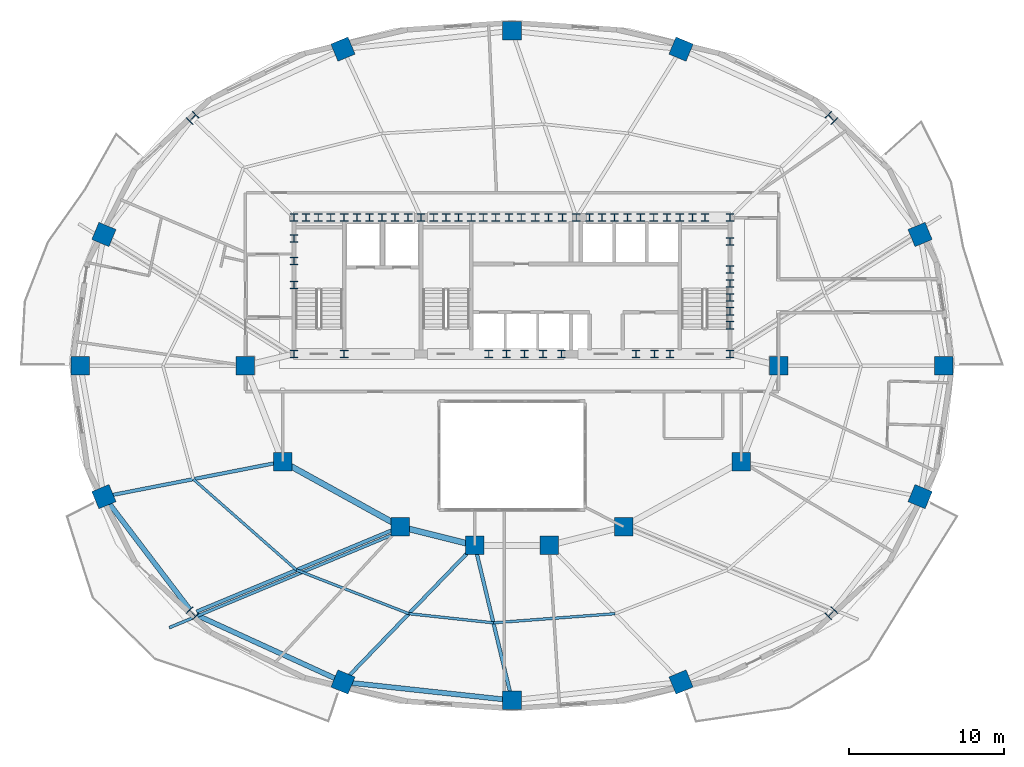
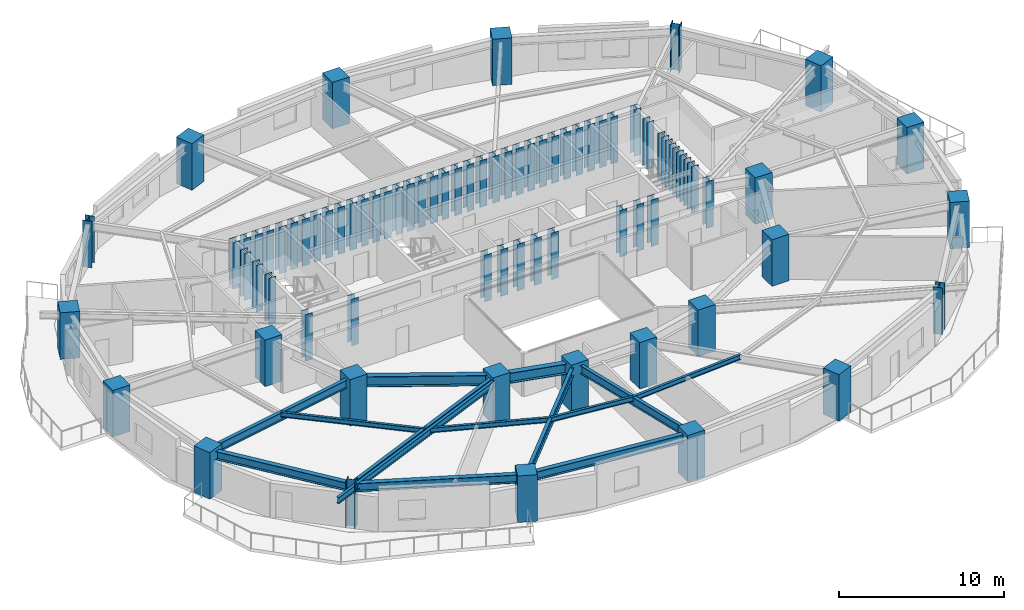
# One storey, part 1 of 13: 78 columns, 14 beams.
"""IFC4 building model written with IfcOpenShell, lengths in metres."""

from ifc_helpers import new_model, si_unit, direction, frame, origin, origin_2d, place, context, subcontext, project, spatial, rectangle, i_section, extrude, material, material_profile, profile_set, type_object, element, save


model = new_model("IFC4")

# Units and contexts
model_context = context("Model", 3, precision=1e-05, world=origin(), true_north=direction((0.0, 1.0)))
body_context = subcontext(model_context, "Body", "Model", "MODEL_VIEW")
ifc_project = project(units=[si_unit("LENGTHUNIT", "METRE"), si_unit("AREAUNIT", "SQUARE_METRE"), si_unit("VOLUMEUNIT", "CUBIC_METRE"), si_unit("PLANEANGLEUNIT", "RADIAN"), si_unit("MASSUNIT", "GRAM", prefix="KILO")], contexts=[model_context])

# Site, building, storey
site_placement = place(None, origin())
site = spatial("IfcSite", under=ifc_project, at=site_placement, CompositionType="ELEMENT")
building_placement = place(site_placement, origin())
building = spatial("IfcBuilding", under=site, at=building_placement, Name="Haldorwick Loom Tower", CompositionType="ELEMENT")
storey_placement = place(building_placement, frame((0.0, 0.0, 120.800048828125)))
storey = spatial("IfcBuildingStorey", under=building, at=storey_placement, Name="L32", CompositionType="ELEMENT", Elevation=120.800048828125)

# Columns
ifc_material_1 = material(Name="Concrete C60 (60 MPa)", Category="concrete")
ifc_material_profile_1 = material_profile(ifc_material_1, rectangle(XDim=1.199951171875, YDim=1.199951171875, at=origin_2d()), Name="RC1200X1200", Category="concrete")
ifc_profile_set_1 = profile_set([ifc_material_profile_1], Name="Concrete C60 (60 MPa)")
column_type_1 = type_object("IfcColumnType", Name="STR-COL-RC1200", PredefinedType="COLUMN", material=ifc_profile_set_1)
for number, where, z_axis, x_axis, name in (
    (1, (53.199951171875, 26.0, 0.0), (0.0, 0.0, 1.0), (1.0, 0.0, 0.0), "L32 Inner Column IC-01"),
    (2, (50.800048828125, 19.800048828125, 0.0), (0.0, 0.0, 1.0), (1.0, 0.0, 0.0), "L32 Inner Column IC-02"),
    (3, (43.199951171875, 15.60009765625, 0.0), (0.0, 0.0, 1.0), (1.0, 0.0, 0.0), "L32 Inner Column IC-03"),
    (4, (38.39990234375, 14.39990234375, 0.0), (0.0, 0.0, 1.0), (1.0, 0.0, 0.0), "L32 Inner Column IC-04"),
    (5, (33.60009765625, 14.39990234375, 0.0), (0.0, 0.0, 1.0), (1.0, 0.0, 0.0), "L32 Inner Column IC-05"),
    (6, (28.800048828125, 15.60009765625, 0.0), (0.0, 0.0, 1.0), (1.0, 0.0, 0.0), "L32 Inner Column IC-06"),
    (7, (21.199951171875, 19.800048828125, 0.0), (0.0, 0.0, 1.0), (1.0, 0.0, 0.0), "L32 Inner Column IC-07"),
    (8, (18.800048828125, 26.0, 0.0), (0.0, 0.0, 1.0), (1.0, 0.0, 0.0), "L32 Inner Column IC-08"),
    (9, (63.857666015625, 26.0, 0.0), (0.0, 0.0, 1.0), (1.0, 0.0, 0.0), "L32 Perimeter Pier Column P01"),
    (10, (62.33056640625, 34.457275390625, 0.0), (0.0, 0.0, 1.0), (0.923879532511, 0.382683432365, 0.0), "L32 Perimeter Pier Column P02"),
    (11, (46.906494140625, 46.417724609375, 0.0), (0.0, 0.0, 1.0), (0.382683432365, 0.923879532511, 0.0), "L32 Perimeter Pier Column P04"),
    (12, (36.0, 47.598388671875, 0.0), (0.0, 0.0, 1.0), (0.0, 1.0, 0.0), "L32 Perimeter Pier Column P05"),
    (13, (25.093505859375, 46.417724609375, 0.0), (0.0, 0.0, 1.0), (-0.382683432365, 0.923879532511, 0.0), "L32 Perimeter Pier Column P06"),
    (14, (9.66943359375, 34.457275390625, 0.0), (0.0, 0.0, 1.0), (-0.923879532511, 0.382683432365, 0.0), "L32 Perimeter Pier Column P08"),
    (15, (8.142333984375, 26.0, 0.0), (0.0, 0.0, 1.0), (-1.0, 0.0, 0.0), "L32 Perimeter Pier Column P09"),
    (16, (9.66943359375, 17.542724609375, 0.0), (0.0, 0.0, 1.0), (-0.923879532511, -0.382683432365, 0.0), "L32 Perimeter Pier Column P10"),
    (17, (25.093505859375, 5.582275390625, 0.0), (0.0, 0.0, 1.0), (-0.382683432365, -0.923879532511, 0.0), "L32 Perimeter Pier Column P12"),
    (18, (36.0, 4.401611328125, 0.0), (0.0, 0.0, 1.0), (0.0, -1.0, 0.0), "L32 Perimeter Pier Column P13"),
    (19, (46.906494140625, 5.582275390625, 0.0), (0.0, 0.0, 1.0), (0.382683432365, -0.923879532511, 0.0), "L32 Perimeter Pier Column P14"),
    (20, (62.33056640625, 17.542724609375, 0.0), (0.0, 0.0, 1.0), (0.923879532511, -0.382683432365, 0.0), "L32 Perimeter Pier Column P16"),
):
    element("IfcColumn", number, at=place(storey_placement, frame(where, z_axis=z_axis, x_axis=x_axis)), inside=storey, type_object=column_type_1, Name=name, PredefinedType="COLUMN", context=body_context, shape_type="SweptSolid", body=[
        extrude(rectangle(XDim=1.199951171875, YDim=1.199951171875, at=origin_2d()), origin(), (0.0, 0.0, 1.0), 3.449951171875),
    ])
ifc_material_2 = material(Name="Steel CSA G40.21 350WT", Category="steel")
ifc_material_profile_2 = material_profile(ifc_material_2, i_section(OverallWidth=0.5, OverallDepth=0.5, WebThickness=0.02197265625, FlangeThickness=0.031982421875, at=origin_2d()), Name="WWF500X500", Category="steel")
ifc_profile_set_2 = profile_set([ifc_material_profile_2], Name="Steel CSA G40.21 350WT")
column_type_2 = type_object("IfcColumnType", Name="STR-COL-WWF500", PredefinedType="COLUMN", material=ifc_profile_set_2)
for number, where, z_axis, x_axis, name in (
    (21, (21.929931640625, 35.550048828125, 0.0), (0.0, 0.0, 1.0), (1.0, 0.0, 0.0), "L32 Core Pilaster CB-01"),
    (22, (23.5, 35.550048828125, 0.0), (0.0, 0.0, 1.0), (1.0, 0.0, 0.0), "L32 Core Pilaster CB-02"),
    (23, (25.169921875, 35.550048828125, 0.0), (0.0, 0.0, 1.0), (1.0, 0.0, 0.0), "L32 Core Pilaster CB-03"),
    (24, (26.800048828125, 35.550048828125, 0.0), (0.0, 0.0, 1.0), (1.0, 0.0, 0.0), "L32 Core Pilaster CB-04"),
    (25, (28.449951171875, 35.550048828125, 0.0), (0.0, 0.0, 1.0), (1.0, 0.0, 0.0), "L32 Core Pilaster CB-05"),
    (26, (30.1298828125, 35.550048828125, 0.0), (0.0, 0.0, 1.0), (1.0, 0.0, 0.0), "L32 Core Pilaster CB-06"),
    (27, (31.75, 35.550048828125, 0.0), (0.0, 0.0, 1.0), (1.0, 0.0, 0.0), "L32 Core Pilaster CB-07"),
    (28, (33.3701171875, 35.550048828125, 0.0), (0.0, 0.0, 1.0), (1.0, 0.0, 0.0), "L32 Core Pilaster CB-08"),
    (29, (34.949951171875, 35.550048828125, 0.0), (0.0, 0.0, 1.0), (1.0, 0.0, 0.0), "L32 Core Pilaster CB-09"),
    (30, (36.60009765625, 35.550048828125, 0.0), (0.0, 0.0, 1.0), (1.0, 0.0, 0.0), "L32 Core Pilaster CB-10"),
    (31, (38.35009765625, 35.550048828125, 0.0), (0.0, 0.0, 1.0), (1.0, 0.0, 0.0), "L32 Core Pilaster CB-11"),
    (32, (40.14990234375, 35.550048828125, 0.0), (0.0, 0.0, 1.0), (1.0, 0.0, 0.0), "L32 Core Pilaster CB-12"),
    (33, (41.800048828125, 35.550048828125, 0.0), (0.0, 0.0, 1.0), (1.0, 0.0, 0.0), "L32 Core Pilaster CB-13"),
    (34, (43.449951171875, 35.550048828125, 0.0), (0.0, 0.0, 1.0), (1.0, 0.0, 0.0), "L32 Core Pilaster CB-14"),
    (35, (45.14990234375, 35.550048828125, 0.0), (0.0, 0.0, 1.0), (1.0, 0.0, 0.0), "L32 Core Pilaster CB-15"),
    (36, (46.830078125, 35.550048828125, 0.0), (0.0, 0.0, 1.0), (1.0, 0.0, 0.0), "L32 Core Pilaster CB-16"),
    (37, (48.449951171875, 35.550048828125, 0.0), (0.0, 0.0, 1.0), (1.0, 0.0, 0.0), "L32 Core Pilaster CB-17"),
    (38, (50.070068359375, 35.550048828125, 0.0), (0.0, 0.0, 1.0), (1.0, 0.0, 0.0), "L32 Core Pilaster CB-18"),
    (39, (21.929931640625, 26.75, 0.0), (0.0, 0.0, 1.0), (1.0, 0.0, 0.0), "L32 Core Pilaster CB-19"),
    (40, (25.169921875, 26.75, 0.0), (0.0, 0.0, 1.0), (1.0, 0.0, 0.0), "L32 Core Pilaster CB-20"),
    (41, (34.5, 26.75, 0.0), (0.0, 0.0, 1.0), (1.0, 0.0, 0.0), "L32 Core Pilaster CB-21"),
    (42, (36.800048828125, 26.75, 0.0), (0.0, 0.0, 1.0), (1.0, 0.0, 0.0), "L32 Core Pilaster CB-22"),
    (43, (39.199951171875, 26.75, 0.0), (0.0, 0.0, 1.0), (1.0, 0.0, 0.0), "L32 Core Pilaster CB-23"),
    (44, (45.199951171875, 26.75, 0.0), (0.0, 0.0, 1.0), (1.0, 0.0, 0.0), "L32 Core Pilaster CB-24"),
    (45, (50.070068359375, 26.75, 0.0), (0.0, 0.0, 1.0), (1.0, 0.0, 0.0), "L32 Core Pilaster CB-25"),
    (46, (21.929931640625, 31.199951171875, 0.0), (0.0, 0.0, 1.0), (1.0, 0.0, 0.0), "L32 Core Pilaster CB-26"),
    (47, (21.929931640625, 32.75, 0.0), (0.0, 0.0, 1.0), (1.0, 0.0, 0.0), "L32 Core Pilaster CB-27"),
    (48, (21.929931640625, 34.199951171875, 0.0), (0.0, 0.0, 1.0), (1.0, 0.0, 0.0), "L32 Core Pilaster CB-28"),
    (49, (50.070068359375, 28.60009765625, 0.0), (0.0, 0.0, 1.0), (1.0, 0.0, 0.0), "L32 Core Pilaster CB-29"),
    (50, (50.070068359375, 30.39990234375, 0.0), (0.0, 0.0, 1.0), (1.0, 0.0, 0.0), "L32 Core Pilaster CB-30"),
    (51, (50.070068359375, 32.199951171875, 0.0), (0.0, 0.0, 1.0), (1.0, 0.0, 0.0), "L32 Core Pilaster CB-31"),
    (52, (50.070068359375, 34.0, 0.0), (0.0, 0.0, 1.0), (1.0, 0.0, 0.0), "L32 Core Pilaster CB-32"),
    (53, (22.699951171875, 35.550048828125, 0.0), (0.0, 0.0, 1.0), (1.0, 0.0, 0.0), "L32 Core Pilaster CB-33"),
    (54, (27.6201171875, 35.550048828125, 0.0), (0.0, 0.0, 1.0), (1.0, 0.0, 0.0), "L32 Core Pilaster CB-34"),
    (55, (32.550048828125, 35.550048828125, 0.0), (0.0, 0.0, 1.0), (1.0, 0.0, 0.0), "L32 Core Pilaster CB-35"),
    (56, (37.5, 35.550048828125, 0.0), (0.0, 0.0, 1.0), (1.0, 0.0, 0.0), "L32 Core Pilaster CB-36"),
    (57, (42.6201171875, 35.550048828125, 0.0), (0.0, 0.0, 1.0), (1.0, 0.0, 0.0), "L32 Core Pilaster CB-37"),
    (58, (47.64990234375, 35.550048828125, 0.0), (0.0, 0.0, 1.0), (1.0, 0.0, 0.0), "L32 Core Pilaster CB-38"),
    (59, (24.300048828125, 35.550048828125, 0.0), (0.0, 0.0, 1.0), (1.0, 0.0, 0.0), "L32 Core Pilaster CB-39"),
    (60, (26.0, 35.550048828125, 0.0), (0.0, 0.0, 1.0), (1.0, 0.0, 0.0), "L32 Core Pilaster CB-40"),
    (61, (29.300048828125, 35.550048828125, 0.0), (0.0, 0.0, 1.0), (1.0, 0.0, 0.0), "L32 Core Pilaster CB-41"),
    (62, (30.949951171875, 35.550048828125, 0.0), (0.0, 0.0, 1.0), (1.0, 0.0, 0.0), "L32 Core Pilaster CB-42"),
    (63, (34.14990234375, 35.550048828125, 0.0), (0.0, 0.0, 1.0), (1.0, 0.0, 0.0), "L32 Core Pilaster CB-43"),
    (64, (35.800048828125, 35.550048828125, 0.0), (0.0, 0.0, 1.0), (1.0, 0.0, 0.0), "L32 Core Pilaster CB-44"),
    (65, (39.25, 35.550048828125, 0.0), (0.0, 0.0, 1.0), (1.0, 0.0, 0.0), "L32 Core Pilaster CB-45"),
    (66, (41.0, 35.550048828125, 0.0), (0.0, 0.0, 1.0), (1.0, 0.0, 0.0), "L32 Core Pilaster CB-46"),
    (67, (44.300048828125, 35.550048828125, 0.0), (0.0, 0.0, 1.0), (1.0, 0.0, 0.0), "L32 Core Pilaster CB-47"),
    (68, (46.0, 35.550048828125, 0.0), (0.0, 0.0, 1.0), (1.0, 0.0, 0.0), "L32 Core Pilaster CB-48"),
    (69, (50.070068359375, 29.5, 0.0), (0.0, 0.0, 1.0), (1.0, 0.0, 0.0), "L32 Core Pilaster CB-49"),
    (70, (50.070068359375, 31.300048828125, 0.0), (0.0, 0.0, 1.0), (1.0, 0.0, 0.0), "L32 Core Pilaster CB-50"),
    (71, (35.64990234375, 26.75, 0.0), (0.0, 0.0, 1.0), (1.0, 0.0, 0.0), "L32 Core Pilaster CB-51"),
    (72, (38.0, 26.75, 0.0), (0.0, 0.0, 1.0), (1.0, 0.0, 0.0), "L32 Core Pilaster CB-52"),
    (73, (44.0, 26.75, 0.0), (0.0, 0.0, 1.0), (1.0, 0.0, 0.0), "L32 Core Pilaster CB-53"),
    (74, (46.199951171875, 26.75, 0.0), (0.0, 0.0, 1.0), (1.0, 0.0, 0.0), "L32 Core Pilaster CB-54"),
):
    element("IfcColumn", number, at=place(storey_placement, frame(where, z_axis=z_axis, x_axis=x_axis)), inside=storey, type_object=column_type_2, Name=name, PredefinedType="COLUMN", context=body_context, shape_type="SweptSolid", body=[
        extrude(i_section(OverallWidth=0.5, OverallDepth=0.5, WebThickness=0.02197265625, FlangeThickness=0.031982421875, at=origin_2d()), origin(), (0.0, 0.0, 1.0), 3.449951171875),
    ])
ifc_material_profile_3 = material_profile(ifc_material_2, i_section(OverallWidth=0.60009765625, OverallDepth=0.60009765625, WebThickness=0.02490234375, FlangeThickness=0.035888671875, at=origin_2d()), Name="WWF600X600", Category="steel")
ifc_profile_set_3 = profile_set([ifc_material_profile_3], Name="Steel CSA G40.21 350WT")
column_type_3 = type_object("IfcColumnType", Name="STR-COL-WWF600", PredefinedType="COLUMN", material=ifc_profile_set_3)
for number, where, z_axis, x_axis, name in (
    (75, (56.606689453125, 41.981689453125, 0.0), (0.0, 0.0, 1.0), (0.707106781187, 0.707106781187, 0.0), "L32 Perimeter Pier Column P03"),
    (76, (15.393310546875, 41.981689453125, 0.0), (0.0, 0.0, 1.0), (-0.707106781187, 0.707106781187, 0.0), "L32 Perimeter Pier Column P07"),
    (77, (15.393310546875, 10.018310546875, 0.0), (0.0, 0.0, 1.0), (-0.707106781187, -0.707106781187, 0.0), "L32 Perimeter Pier Column P11"),
    (78, (56.606689453125, 10.018310546875, 0.0), (0.0, 0.0, 1.0), (0.707106781187, -0.707106781187, 0.0), "L32 Perimeter Pier Column P15"),
):
    element("IfcColumn", number, at=place(storey_placement, frame(where, z_axis=z_axis, x_axis=x_axis)), inside=storey, type_object=column_type_3, Name=name, PredefinedType="COLUMN", context=body_context, shape_type="SweptSolid", body=[
        extrude(i_section(OverallWidth=0.60009765625, OverallDepth=0.60009765625, WebThickness=0.02490234375, FlangeThickness=0.035888671875, at=origin_2d()), origin(), (0.0, 0.0, 1.0), 3.449951171875),
    ])

# Beams
ifc_material_3 = material(Name="Steel CSA G40.21 350W", Category="steel")
ifc_material_profile_4 = material_profile(ifc_material_3, i_section(OverallWidth=0.193115234375, OverallDepth=0.466064453125, WebThickness=0.011474609375, FlangeThickness=0.01904296875, at=origin_2d()), Name="W460X97", Category="steel")
ifc_profile_set_4 = profile_set([ifc_material_profile_4], Name="Steel CSA G40.21 350W")
beam_type_1 = type_object("IfcBeamType", Name="STR-BM-BAL460", PredefinedType="BEAM", material=ifc_profile_set_4)
beam_1_placement = place(storey_placement, frame((28.427490234375, 15.1416015625, 2.97705078125), z_axis=(-0.923185561192, -0.38435454935, 0.0), x_axis=(0.38435454935, -0.923185561192, 0.0)))
element("IfcBeam", 79, at=beam_1_placement, inside=storey, type_object=beam_type_1, Name="L32 Continuous Back-Spanned Balcony Beam 2", PredefinedType="BEAM", context=body_context, shape_type="SweptSolid", body=[
    extrude(i_section(OverallWidth=0.193115234375, OverallDepth=0.466064453125, WebThickness=0.011474609375, FlangeThickness=0.01904296875, at=origin_2d()), origin(), (0.0, 0.0, 1.0), 15.752197265625),
])
ifc_material_profile_5 = material_profile(ifc_material_3, i_section(OverallWidth=0.172119140625, OverallDepth=0.35791015625, WebThickness=0.0078125, FlangeThickness=0.01318359375, at=origin_2d()), Name="W360X57", Category="steel")
ifc_profile_set_5 = profile_set([ifc_material_profile_5], Name="Steel CSA G40.21 350W")
beam_type_2 = type_object("IfcBeamType", Name="STR-BM-J360", PredefinedType="JOIST", material=ifc_profile_set_5)
beam_2_placement = place(storey_placement, frame((15.434814453125, 18.67138671875, 3.031005859375), z_axis=(0.750721157729, -0.660619212057, 0.0), x_axis=(0.660619212057, 0.750721157729, 0.0)))
element("IfcBeam", 80, at=beam_2_placement, inside=storey, type_object=beam_type_2, Name="L32 Mid-Bay Secondary Joist 10", PredefinedType="JOIST", context=body_context, shape_type="SweptSolid", body=[
    extrude(i_section(OverallWidth=0.172119140625, OverallDepth=0.35791015625, WebThickness=0.0078125, FlangeThickness=0.01318359375, at=origin_2d()), origin(), (0.0, 0.0, 1.0), 8.8740234375),
])
beam_3_placement = place(storey_placement, frame((22.0966796875, 12.80908203125, 3.031005859375), z_axis=(0.932072983051, -0.362270553959, 0.0), x_axis=(0.362270553959, 0.932072983051, 0.0)))
element("IfcBeam", 81, at=beam_3_placement, inside=storey, type_object=beam_type_2, Name="L32 Mid-Bay Secondary Joist 11", PredefinedType="JOIST", context=body_context, shape_type="SweptSolid", body=[
    extrude(i_section(OverallWidth=0.172119140625, OverallDepth=0.35791015625, WebThickness=0.0078125, FlangeThickness=0.01318359375, at=origin_2d()), origin(), (0.0, 0.0, 1.0), 7.7783203125),
])
beam_4_placement = place(storey_placement, frame((29.3466796875, 9.9912109375, 3.031005859375), z_axis=(0.994191869342, -0.107622148904, 0.0), x_axis=(0.107622148904, 0.994191869342, 0.0)))
element("IfcBeam", 82, at=beam_4_placement, inside=storey, type_object=beam_type_2, Name="L32 Mid-Bay Secondary Joist 12", PredefinedType="JOIST", context=body_context, shape_type="SweptSolid", body=[
    extrude(i_section(OverallWidth=0.172119140625, OverallDepth=0.35791015625, WebThickness=0.0078125, FlangeThickness=0.01318359375, at=origin_2d()), origin(), (0.0, 0.0, 1.0), 5.485107421875),
])
beam_5_placement = place(storey_placement, frame((34.800048828125, 9.40087890625, 3.031005859375), z_axis=(0.99718663731, 0.074958724439, 0.0), x_axis=(-0.074958724439, 0.99718663731, 0.0)))
element("IfcBeam", 83, at=beam_5_placement, inside=storey, type_object=beam_type_2, Name="L32 Mid-Bay Secondary Joist 13", PredefinedType="JOIST", context=body_context, shape_type="SweptSolid", body=[
    extrude(i_section(OverallWidth=0.172119140625, OverallDepth=0.35791015625, WebThickness=0.0078125, FlangeThickness=0.01318359375, at=origin_2d()), origin(), (0.0, 0.0, 1.0), 7.87548828125),
])
ifc_material_profile_6 = material_profile(ifc_material_3, i_section(OverallWidth=0.324951171875, OverallDepth=0.615966796875, WebThickness=0.013916015625, FlangeThickness=0.021484375, at=origin_2d()), Name="W610X174", Category="steel")
ifc_profile_set_6 = profile_set([ifc_material_profile_6], Name="Steel CSA G40.21 350W")
beam_type_3 = type_object("IfcBeamType", Name="STR-BM-SP610", PredefinedType="SPANDREL", material=ifc_profile_set_6)
beam_6_placement = place(storey_placement, frame((9.984130859375, 17.12890625, 2.90185546875), z_axis=(0.605453508047, -0.795880675475, 0.0), x_axis=(0.795880675475, 0.605453508047, 0.0)))
element("IfcBeam", 84, at=beam_6_placement, inside=storey, type_object=beam_type_3, Name="L32 Perimeter Spandrel 10", PredefinedType="SPANDREL", context=body_context, shape_type="SweptSolid", body=[
    extrude(i_section(OverallWidth=0.324951171875, OverallDepth=0.615966796875, WebThickness=0.013916015625, FlangeThickness=0.021484375, at=origin_2d()), origin(), (0.0, 0.0, 1.0), 8.6591796875),
])
beam_7_placement = place(storey_placement, frame((15.643310546875, 9.90380859375, 2.90185546875), z_axis=(0.909423969306, -0.415870225011, 0.0), x_axis=(0.415870225011, 0.909423969306, 0.0)))
element("IfcBeam", 85, at=beam_7_placement, inside=storey, type_object=beam_type_3, Name="L32 Perimeter Spandrel 11", PredefinedType="SPANDREL", context=body_context, shape_type="SweptSolid", body=[
    extrude(i_section(OverallWidth=0.324951171875, OverallDepth=0.615966796875, WebThickness=0.013916015625, FlangeThickness=0.021484375, at=origin_2d()), origin(), (0.0, 0.0, 1.0), 9.871337890625),
])
beam_8_placement = place(storey_placement, frame((25.610595703125, 5.5263671875, 2.90185546875), z_axis=(0.994190135627, -0.107638163409, 0.0), x_axis=(0.107638163409, 0.994190135627, 0.0)))
element("IfcBeam", 86, at=beam_8_placement, inside=storey, type_object=beam_type_3, Name="L32 Perimeter Spandrel 12", PredefinedType="SPANDREL", context=body_context, shape_type="SweptSolid", body=[
    extrude(i_section(OverallWidth=0.324951171875, OverallDepth=0.615966796875, WebThickness=0.013916015625, FlangeThickness=0.021484375, at=origin_2d()), origin(), (0.0, 0.0, 1.0), 9.929931640625),
])
ifc_material_profile_7 = material_profile(ifc_material_3, i_section(OverallWidth=0.22998046875, OverallDepth=0.616943359375, WebThickness=0.01318359375, FlangeThickness=0.022216796875, at=origin_2d()), Name="W610X140", Category="steel")
ifc_profile_set_7 = profile_set([ifc_material_profile_7], Name="Steel CSA G40.21 350W")
beam_type_4 = type_object("IfcBeamType", Name="STR-BM-W610B", PredefinedType="BEAM", material=ifc_profile_set_7)
beam_9_placement = place(storey_placement, frame((20.689697265625, 19.7001953125, 2.9013671875), z_axis=(-0.981369581426, -0.192129499692, 0.0), x_axis=(0.192129499692, -0.981369581426, 0.0)))
element("IfcBeam", 87, at=beam_9_placement, inside=storey, type_object=beam_type_4, Name="L32 Radial Floor Girder 10", PredefinedType="BEAM", context=body_context, shape_type="SweptSolid", body=[
    extrude(i_section(OverallWidth=0.22998046875, OverallDepth=0.616943359375, WebThickness=0.01318359375, FlangeThickness=0.022216796875, at=origin_2d()), origin(), (0.0, 0.0, 1.0), 10.70947265625),
])
beam_10_placement = place(storey_placement, frame((28.31982421875, 15.400146484375, 2.9013671875), z_axis=(-0.923183704764, -0.384359008297, 0.0), x_axis=(0.384359008297, -0.923183704764, 0.0)))
element("IfcBeam", 88, at=beam_10_placement, inside=storey, type_object=beam_type_4, Name="L32 Radial Floor Girder 11", PredefinedType="BEAM", context=body_context, shape_type="SweptSolid", body=[
    extrude(i_section(OverallWidth=0.22998046875, OverallDepth=0.616943359375, WebThickness=0.01318359375, FlangeThickness=0.022216796875, at=origin_2d()), origin(), (0.0, 0.0, 1.0), 13.72705078125),
])
beam_11_placement = place(storey_placement, frame((33.239013671875, 14.02587890625, 2.9013671875), z_axis=(-0.694287071595, -0.719698174387, 0.0), x_axis=(0.719698174387, -0.694287071595, 0.0)))
element("IfcBeam", 89, at=beam_11_placement, inside=storey, type_object=beam_type_4, Name="L32 Radial Floor Girder 12", PredefinedType="BEAM", context=body_context, shape_type="SweptSolid", body=[
    extrude(i_section(OverallWidth=0.22998046875, OverallDepth=0.616943359375, WebThickness=0.01318359375, FlangeThickness=0.022216796875, at=origin_2d()), origin(), (0.0, 0.0, 1.0), 11.212158203125),
])
beam_12_placement = place(storey_placement, frame((33.721435546875, 13.894287109375, 2.9013671875), z_axis=(0.233406920764, -0.972379148964, 0.0), x_axis=(0.972379148964, 0.233406920764, 0.0)))
element("IfcBeam", 90, at=beam_12_placement, inside=storey, type_object=beam_type_4, Name="L32 Radial Floor Girder 13", PredefinedType="BEAM", context=body_context, shape_type="SweptSolid", body=[
    extrude(i_section(OverallWidth=0.22998046875, OverallDepth=0.616943359375, WebThickness=0.01318359375, FlangeThickness=0.022216796875, at=origin_2d()), origin(), (0.0, 0.0, 1.0), 9.242431640625),
])
ifc_material_profile_8 = material_profile(ifc_material_3, i_section(OverallWidth=0.381103515625, OverallDepth=0.77294921875, WebThickness=0.0166015625, FlangeThickness=0.027587890625, at=origin_2d()), Name="W760X257", Category="steel")
ifc_profile_set_8 = profile_set([ifc_material_profile_8], Name="Steel CSA G40.21 350W")
beam_type_5 = type_object("IfcBeamType", Name="STR-BM-W760", PredefinedType="BEAM", material=ifc_profile_set_8)
beam_13_placement = place(storey_placement, frame((33.095458984375, 14.526123046875, 2.823486328125), z_axis=(-0.970142500145, 0.242535625036, 0.0), x_axis=(-0.242535625036, -0.970142500145, 0.0)))
element("IfcBeam", 91, at=beam_13_placement, inside=storey, type_object=beam_type_5, Name="L32 Inner Ring Girder 6", PredefinedType="BEAM", context=body_context, shape_type="SweptSolid", body=[
    extrude(i_section(OverallWidth=0.381103515625, OverallDepth=0.77294921875, WebThickness=0.0166015625, FlangeThickness=0.027587890625, at=origin_2d()), origin(), (0.0, 0.0, 1.0), 3.90771484375),
])
beam_14_placement = place(storey_placement, frame((28.344970703125, 15.8515625, 2.823486328125), z_axis=(-0.875244382146, 0.483680960471, 0.0), x_axis=(-0.483680960471, -0.875244382146, 0.0)))
element("IfcBeam", 92, at=beam_14_placement, inside=storey, type_object=beam_type_5, Name="L32 Inner Ring Girder 7", PredefinedType="BEAM", context=body_context, shape_type="SweptSolid", body=[
    extrude(i_section(OverallWidth=0.381103515625, OverallDepth=0.77294921875, WebThickness=0.0166015625, FlangeThickness=0.027587890625, at=origin_2d()), origin(), (0.0, 0.0, 1.0), 7.6435546875),
])

save(model, "model.ifc")
